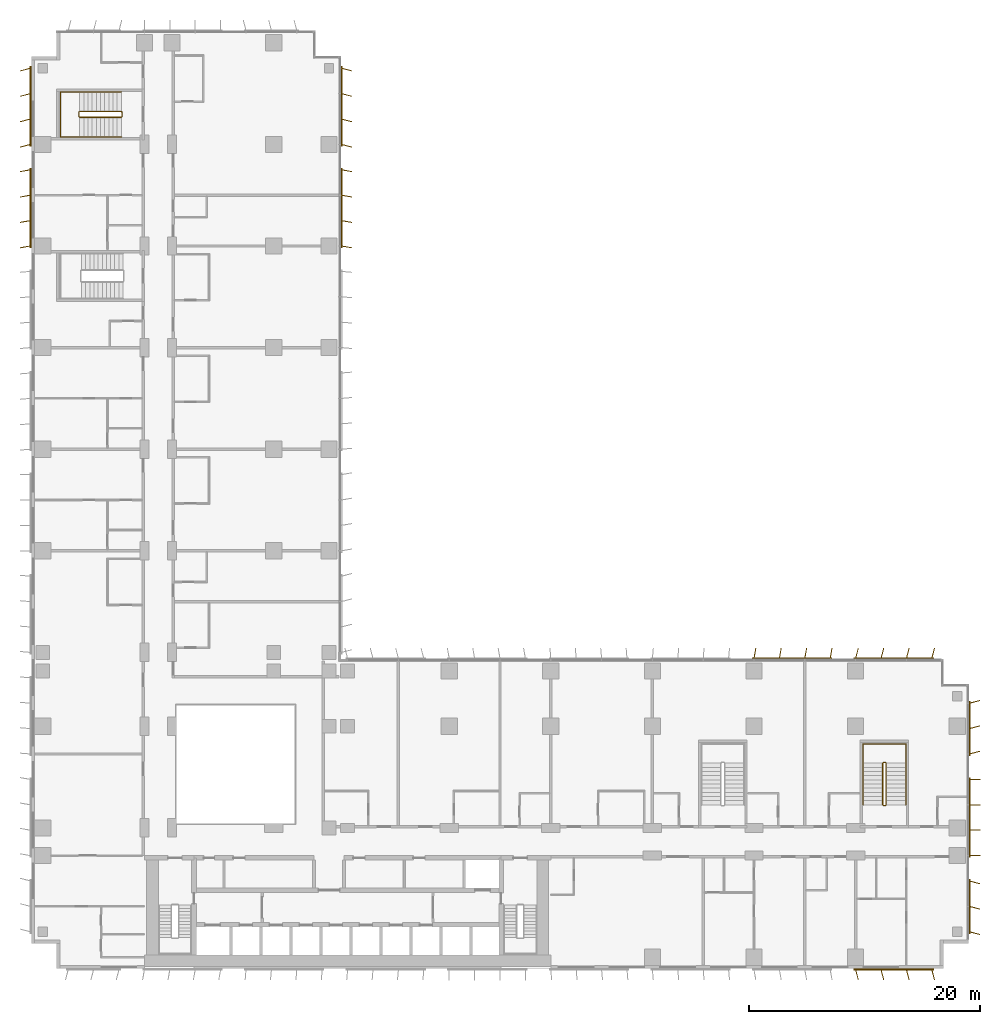
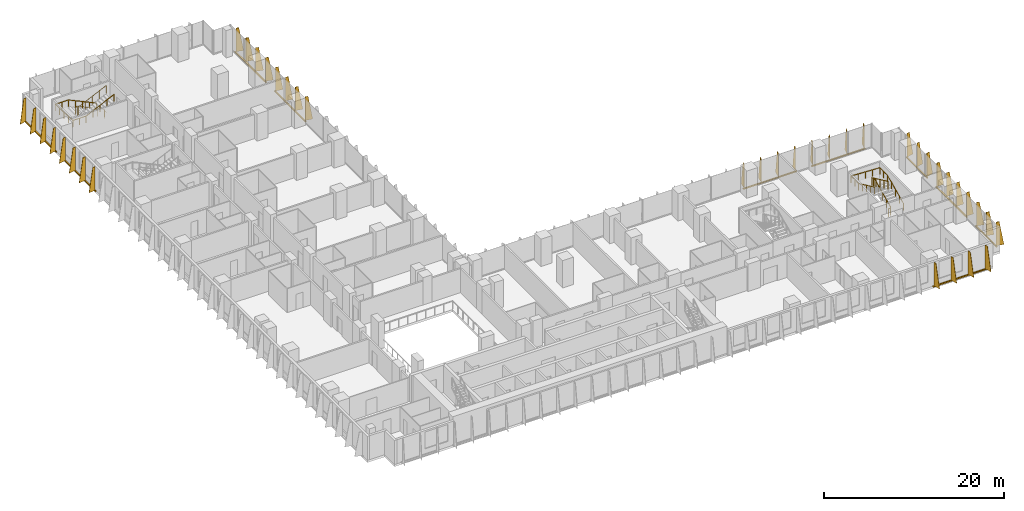
# One storey, part 23 of 24: 10 shading devices, 4 railings.
"""IFC4 building model written with IfcOpenShell, lengths in metres."""

from ifc_helpers import new_model, si_unit, direction, frame, origin, origin_2d, place, context, subcontext, project, spatial, polyline, rectangle, circle, outline, extrude, source, transform, mapped, material, layer, layer_set, type_object, element, save


model = new_model("IFC4")

# Units and contexts
model_context = context("Model", 3, precision=1e-05, world=origin(), true_north=direction((0.0, 1.0)))
body_context = subcontext(model_context, "Body", "Model", "MODEL_VIEW")
ifc_project = project(units=[si_unit("LENGTHUNIT", "METRE"), si_unit("AREAUNIT", "SQUARE_METRE"), si_unit("VOLUMEUNIT", "CUBIC_METRE"), si_unit("PLANEANGLEUNIT", "RADIAN"), si_unit("MASSUNIT", "GRAM", prefix="KILO")], contexts=[model_context])

# Site, building, storey
site_placement = place(None, origin())
site = spatial("IfcSite", under=ifc_project, at=site_placement, CompositionType="ELEMENT")
building_placement = place(site_placement, origin())
building = spatial("IfcBuilding", under=site, at=building_placement, Name="Kemantara Hotel Tower", CompositionType="ELEMENT")
storey_placement = place(building_placement, frame((0.0, 0.0, 79.699951171875)))
storey = spatial("IfcBuildingStorey", under=building, at=storey_placement, Name="L18", CompositionType="ELEMENT", Elevation=79.699951171875)

# Railings
ifc_material_1 = material(Name="Stainless steel balustrade", Category="steel")
railing_type_1 = type_object("IfcRailingType", Name="Stair guard 1100 mm", PredefinedType="GUARDRAIL", material=ifc_material_1)
railing_1_placement = place(storey_placement, frame((73.75, 14.199951171875, 3.699951171875)))
element("IfcRailing", 1, at=railing_1_placement, inside=storey, type_object=railing_type_1, Name="L18 ST5 stair guard 1", PredefinedType="GUARDRAIL", context=body_context, shape_type="SweptSolid", body=[
    extrude(circle(Radius=0.02392578125, at=origin_2d()), frame((0.0, 0.0, 1.076171875), z_axis=(0.0, 0.906029249863, -0.423215073447), x_axis=(-1.0, 0.0, 0.0)), (0.0, 0.0, 1.0), 3.973388671875),
    extrude(circle(Radius=0.02392578125, at=origin_2d()), frame((0.0, 3.60009765625, -0.60546875), z_axis=(0.274243871929, 0.274243871929, -0.92172696468), x_axis=(-0.707106781187, 0.707106781187, 0.0)), (0.0, 0.0, 1.0), 0.1826171875),
    extrude(circle(Radius=0.02392578125, at=origin_2d()), frame((0.050048828125, 3.650146484375, -0.77392578125), z_axis=(1.0, 0.0, 0.0), x_axis=(0.0, 1.0, 0.0)), (0.0, 0.0, 1.0), 0.199951171875),
    extrude(circle(Radius=0.02392578125, at=origin_2d()), frame((0.25, 3.650146484375, -0.77392578125), z_axis=(0.707106781187, -0.707106781187, 0.0), x_axis=(0.707106781187, 0.707106781187, 0.0)), (0.0, 0.0, 1.0), 0.07080078125),
    extrude(circle(Radius=0.02392578125, at=origin_2d()), frame((0.300048828125, 3.60009765625, -0.77392578125), z_axis=(0.0, -0.906005689286, -0.423265508849), x_axis=(1.0, 0.0, 0.0)), (0.0, 0.0, 1.0), 3.9736328125),
    extrude(circle(Radius=0.02392578125, at=origin_2d()), frame((0.300048828125, 0.0, -2.45556640625), z_axis=(-0.274243871929, -0.274243871929, -0.92172696468), x_axis=(0.707106781187, -0.707106781187, 0.0)), (0.0, 0.0, 1.0), 0.1826171875),
    extrude(circle(Radius=0.02392578125, at=origin_2d()), frame((0.25, -0.050048828125, -2.6240234375), z_axis=(-1.0, 0.0, 0.0), x_axis=(0.0, -1.0, 0.0)), (0.0, 0.0, 1.0), 0.199951171875),
    extrude(circle(Radius=0.02099609375, at=origin_2d()), origin(), (0.0, 0.0, 1.0), 1.052001953125),
    extrude(circle(Radius=0.02099609375, at=origin_2d()), frame((0.0, 0.89990234375, -0.42041015625)), (0.0, 0.0, 1.0), 1.052001953125),
    extrude(circle(Radius=0.02099609375, at=origin_2d()), frame((0.0, 1.800048828125, -0.8408203125)), (0.0, 0.0, 1.0), 1.052001953125),
    extrude(circle(Radius=0.02099609375, at=origin_2d()), frame((0.0, 2.7001953125, -1.26123046875)), (0.0, 0.0, 1.0), 1.052001953125),
    extrude(circle(Radius=0.02099609375, at=origin_2d()), frame((0.0, 3.60009765625, -1.681640625)), (0.0, 0.0, 1.0), 1.052001953125),
    extrude(circle(Radius=0.02099609375, at=origin_2d()), frame((0.050048828125, 3.650146484375, -1.849853515625)), (0.0, 0.0, 1.0), 1.052001953125),
    extrude(circle(Radius=0.02099609375, at=origin_2d()), frame((0.25, 3.650146484375, -1.849853515625)), (0.0, 0.0, 1.0), 1.052001953125),
    extrude(circle(Radius=0.02099609375, at=origin_2d()), frame((0.300048828125, 3.60009765625, -1.849853515625)), (0.0, 0.0, 1.0), 1.052001953125),
    extrude(circle(Radius=0.02099609375, at=origin_2d()), frame((0.300048828125, 2.7001953125, -2.270263671875)), (0.0, 0.0, 1.0), 1.052001953125),
    extrude(circle(Radius=0.02099609375, at=origin_2d()), frame((0.300048828125, 1.800048828125, -2.69091796875)), (0.0, 0.0, 1.0), 1.052001953125),
    extrude(circle(Radius=0.02099609375, at=origin_2d()), frame((0.300048828125, 0.89990234375, -3.111328125)), (0.0, 0.0, 1.0), 1.052001953125),
    extrude(circle(Radius=0.02099609375, at=origin_2d()), frame((0.300048828125, 0.0, -3.53173828125)), (0.0, 0.0, 1.0), 1.052001953125),
    extrude(circle(Radius=0.02099609375, at=origin_2d()), frame((0.25, -0.050048828125, -3.699951171875)), (0.0, 0.0, 1.0), 1.052001953125),
    extrude(circle(Radius=0.02099609375, at=origin_2d()), frame((0.050048828125, -0.050048828125, -3.699951171875)), (0.0, 0.0, 1.0), 1.052001953125),
])
railing_2_placement = place(storey_placement, frame((7.800048828125, 73.75, 3.699951171875)))
element("IfcRailing", 2, at=railing_2_placement, inside=storey, type_object=railing_type_1, Name="L18 ST6 stair guard 1", PredefinedType="GUARDRAIL", context=body_context, shape_type="SweptSolid", body=[
    extrude(circle(Radius=0.02392578125, at=origin_2d()), frame((0.0, 0.0, 1.076171875), z_axis=(-0.906029249863, 0.0, -0.423215073447), x_axis=(0.0, -1.0, 0.0)), (0.0, 0.0, 1.0), 3.973388671875),
    extrude(circle(Radius=0.02392578125, at=origin_2d()), frame((-3.60009765625, 0.0, -0.60546875), z_axis=(-0.274243871929, 0.274243871929, -0.92172696468), x_axis=(-0.707106781187, -0.707106781187, 0.0)), (0.0, 0.0, 1.0), 0.1826171875),
    extrude(circle(Radius=0.02392578125, at=origin_2d()), frame((-3.650146484375, 0.050048828125, -0.77392578125), z_axis=(0.0, 1.0, 0.0), x_axis=(-1.0, 0.0, 0.0)), (0.0, 0.0, 1.0), 0.39990234375),
    extrude(circle(Radius=0.02392578125, at=origin_2d()), frame((-3.650146484375, 0.449951171875, -0.77392578125), z_axis=(0.707106781187, 0.707106781187, 0.0), x_axis=(-0.707106781187, 0.707106781187, 0.0)), (0.0, 0.0, 1.0), 0.07080078125),
    extrude(circle(Radius=0.02392578125, at=origin_2d()), frame((-3.60009765625, 0.5, -0.77392578125), z_axis=(0.906005689286, 0.0, -0.423265508849), x_axis=(0.0, 1.0, 0.0)), (0.0, 0.0, 1.0), 3.9736328125),
    extrude(circle(Radius=0.02392578125, at=origin_2d()), frame((0.0, 0.5, -2.45556640625), z_axis=(0.274243871929, -0.274243871929, -0.92172696468), x_axis=(0.707106781187, 0.707106781187, 0.0)), (0.0, 0.0, 1.0), 0.1826171875),
    extrude(circle(Radius=0.02392578125, at=origin_2d()), frame((0.050048828125, 0.449951171875, -2.6240234375), z_axis=(0.0, -1.0, 0.0), x_axis=(1.0, 0.0, 0.0)), (0.0, 0.0, 1.0), 0.39990234375),
    extrude(circle(Radius=0.02099609375, at=origin_2d()), origin(), (0.0, 0.0, 1.0), 1.052001953125),
    extrude(circle(Radius=0.02099609375, at=origin_2d()), frame((-0.89990234375, 0.0, -0.42041015625)), (0.0, 0.0, 1.0), 1.052001953125),
    extrude(circle(Radius=0.02099609375, at=origin_2d()), frame((-1.800048828125, 0.0, -0.8408203125)), (0.0, 0.0, 1.0), 1.052001953125),
    extrude(circle(Radius=0.02099609375, at=origin_2d()), frame((-2.7001953125, 0.0, -1.26123046875)), (0.0, 0.0, 1.0), 1.052001953125),
    extrude(circle(Radius=0.02099609375, at=origin_2d()), frame((-3.60009765625, 0.0, -1.681640625)), (0.0, 0.0, 1.0), 1.052001953125),
    extrude(circle(Radius=0.02099609375, at=origin_2d()), frame((-3.650146484375, 0.050048828125, -1.849853515625)), (0.0, 0.0, 1.0), 1.052001953125),
    extrude(circle(Radius=0.02099609375, at=origin_2d()), frame((-3.650146484375, 0.449951171875, -1.849853515625)), (0.0, 0.0, 1.0), 1.052001953125),
    extrude(circle(Radius=0.02099609375, at=origin_2d()), frame((-3.60009765625, 0.5, -1.849853515625)), (0.0, 0.0, 1.0), 1.052001953125),
    extrude(circle(Radius=0.02099609375, at=origin_2d()), frame((-2.7001953125, 0.5, -2.270263671875)), (0.0, 0.0, 1.0), 1.052001953125),
    extrude(circle(Radius=0.02099609375, at=origin_2d()), frame((-1.800048828125, 0.5, -2.69091796875)), (0.0, 0.0, 1.0), 1.052001953125),
    extrude(circle(Radius=0.02099609375, at=origin_2d()), frame((-0.89990234375, 0.5, -3.111328125)), (0.0, 0.0, 1.0), 1.052001953125),
    extrude(circle(Radius=0.02099609375, at=origin_2d()), frame((0.0, 0.5, -3.53173828125)), (0.0, 0.0, 1.0), 1.052001953125),
    extrude(circle(Radius=0.02099609375, at=origin_2d()), frame((0.050048828125, 0.449951171875, -3.699951171875)), (0.0, 0.0, 1.0), 1.052001953125),
    extrude(circle(Radius=0.02099609375, at=origin_2d()), frame((0.050048828125, 0.050048828125, -3.699951171875)), (0.0, 0.0, 1.0), 1.052001953125),
])
railing_type_2 = type_object("IfcRailingType", Name="Stair handrail 900 mm", PredefinedType="HANDRAIL", material=ifc_material_1)
railing_3_placement = place(storey_placement, frame((75.75, 14.199951171875, 0.168212890625)))
element("IfcRailing", 3, at=railing_3_placement, inside=storey, type_object=railing_type_2, Name="L18 ST5 stair handrail 1", PredefinedType="HANDRAIL", context=body_context, shape_type="SweptSolid", body=[
    extrude(circle(Radius=0.02392578125, at=origin_2d()), frame((0.0, 0.0, 0.8759765625), z_axis=(0.0, 0.906005689286, 0.423265508849), x_axis=(-1.0, 0.0, 0.0)), (0.0, 0.0, 1.0), 3.9736328125),
    extrude(circle(Radius=0.02392578125, at=origin_2d()), frame((0.0, 3.60009765625, 2.5576171875), z_axis=(0.0, 1.0, 0.0), x_axis=(-1.0, 0.0, 0.0)), (0.0, 0.0, 1.0), 1.679931640625),
    extrude(circle(Radius=0.02392578125, at=origin_2d()), frame((0.0, 5.280029296875, 2.5576171875), z_axis=(-0.998968132438, 0.0, 0.045416631029), x_axis=(0.0, -1.0, 0.0)), (0.0, 0.0, 1.0), 3.703857421875),
    extrude(circle(Radius=0.02392578125, at=origin_2d()), frame((-3.699951171875, 5.280029296875, 2.72607421875), z_axis=(0.0, -1.0, 0.0), x_axis=(1.0, 0.0, 0.0)), (0.0, 0.0, 1.0), 1.679931640625),
    extrude(circle(Radius=0.02392578125, at=origin_2d()), frame((-3.699951171875, 3.60009765625, 2.72607421875), z_axis=(0.0, -0.906029249863, 0.423215073447), x_axis=(1.0, 0.0, 0.0)), (0.0, 0.0, 1.0), 3.973388671875),
    extrude(circle(Radius=0.02099609375, at=origin_2d()), origin(), (0.0, 0.0, 1.0), 0.851806640625),
    extrude(circle(Radius=0.02099609375, at=origin_2d()), frame((0.0, 0.89990234375, 0.42041015625)), (0.0, 0.0, 1.0), 0.851806640625),
    extrude(circle(Radius=0.02099609375, at=origin_2d()), frame((0.0, 1.800048828125, 0.8408203125)), (0.0, 0.0, 1.0), 0.851806640625),
    extrude(circle(Radius=0.02099609375, at=origin_2d()), frame((0.0, 2.7001953125, 1.261474609375)), (0.0, 0.0, 1.0), 0.851806640625),
    extrude(circle(Radius=0.02099609375, at=origin_2d()), frame((0.0, 3.60009765625, 1.681884765625)), (0.0, 0.0, 1.0), 0.851806640625),
    extrude(circle(Radius=0.02099609375, at=origin_2d()), frame((0.0, 4.43994140625, 1.681884765625)), (0.0, 0.0, 1.0), 0.851806640625),
    extrude(circle(Radius=0.02099609375, at=origin_2d()), frame((0.0, 5.280029296875, 1.681884765625)), (0.0, 0.0, 1.0), 0.851806640625),
    extrude(circle(Radius=0.02099609375, at=origin_2d()), frame((-0.925048828125, 5.280029296875, 1.723876953125)), (0.0, 0.0, 1.0), 0.851806640625),
    extrude(circle(Radius=0.02099609375, at=origin_2d()), frame((-1.85009765625, 5.280029296875, 1.76611328125)), (0.0, 0.0, 1.0), 0.851806640625),
    extrude(circle(Radius=0.02099609375, at=origin_2d()), frame((-2.77490234375, 5.280029296875, 1.80810546875)), (0.0, 0.0, 1.0), 0.851806640625),
    extrude(circle(Radius=0.02099609375, at=origin_2d()), frame((-3.699951171875, 5.280029296875, 1.85009765625)), (0.0, 0.0, 1.0), 0.851806640625),
    extrude(circle(Radius=0.02099609375, at=origin_2d()), frame((-3.699951171875, 4.43994140625, 1.85009765625)), (0.0, 0.0, 1.0), 0.851806640625),
    extrude(circle(Radius=0.02099609375, at=origin_2d()), frame((-3.699951171875, 3.60009765625, 1.85009765625)), (0.0, 0.0, 1.0), 0.851806640625),
    extrude(circle(Radius=0.02099609375, at=origin_2d()), frame((-3.699951171875, 2.7001953125, 2.2705078125)), (0.0, 0.0, 1.0), 0.851806640625),
    extrude(circle(Radius=0.02099609375, at=origin_2d()), frame((-3.699951171875, 1.800048828125, 2.69091796875)), (0.0, 0.0, 1.0), 0.851806640625),
    extrude(circle(Radius=0.02099609375, at=origin_2d()), frame((-3.699951171875, 0.89990234375, 3.111328125)), (0.0, 0.0, 1.0), 0.851806640625),
    extrude(circle(Radius=0.02099609375, at=origin_2d()), frame((-3.699951171875, 0.0, 3.53173828125)), (0.0, 0.0, 1.0), 0.851806640625),
])
railing_4_placement = place(storey_placement, frame((7.800048828125, 75.949951171875, 0.168212890625)))
element("IfcRailing", 4, at=railing_4_placement, inside=storey, type_object=railing_type_2, Name="L18 ST6 stair handrail 1", PredefinedType="HANDRAIL", context=body_context, shape_type="SweptSolid", body=[
    extrude(circle(Radius=0.02392578125, at=origin_2d()), frame((0.0, 0.0, 0.8759765625), z_axis=(-0.906005689286, 0.0, 0.423265508849), x_axis=(0.0, -1.0, 0.0)), (0.0, 0.0, 1.0), 3.9736328125),
    extrude(circle(Radius=0.02392578125, at=origin_2d()), frame((-3.60009765625, 0.0, 2.5576171875), z_axis=(-1.0, 0.0, 0.0), x_axis=(0.0, -1.0, 0.0)), (0.0, 0.0, 1.0), 1.679931640625),
    extrude(circle(Radius=0.02392578125, at=origin_2d()), frame((-5.280029296875, 0.0, 2.5576171875), z_axis=(0.0, -0.999071085748, 0.043092523981), x_axis=(1.0, 0.0, 0.0)), (0.0, 0.0, 1.0), 3.903564453125),
    extrude(circle(Radius=0.02392578125, at=origin_2d()), frame((-5.280029296875, -3.89990234375, 2.72607421875), z_axis=(1.0, 0.0, 0.0), x_axis=(0.0, 1.0, 0.0)), (0.0, 0.0, 1.0), 1.679931640625),
    extrude(circle(Radius=0.02392578125, at=origin_2d()), frame((-3.60009765625, -3.89990234375, 2.72607421875), z_axis=(0.906029249863, 0.0, 0.423215073447), x_axis=(0.0, 1.0, 0.0)), (0.0, 0.0, 1.0), 3.973388671875),
    extrude(circle(Radius=0.02099609375, at=origin_2d()), origin(), (0.0, 0.0, 1.0), 0.851806640625),
    extrude(circle(Radius=0.02099609375, at=origin_2d()), frame((-0.89990234375, 0.0, 0.42041015625)), (0.0, 0.0, 1.0), 0.851806640625),
    extrude(circle(Radius=0.02099609375, at=origin_2d()), frame((-1.800048828125, 0.0, 0.8408203125)), (0.0, 0.0, 1.0), 0.851806640625),
    extrude(circle(Radius=0.02099609375, at=origin_2d()), frame((-2.7001953125, 0.0, 1.261474609375)), (0.0, 0.0, 1.0), 0.851806640625),
    extrude(circle(Radius=0.02099609375, at=origin_2d()), frame((-3.60009765625, 0.0, 1.681884765625)), (0.0, 0.0, 1.0), 0.851806640625),
    extrude(circle(Radius=0.02099609375, at=origin_2d()), frame((-4.43994140625, 0.0, 1.681884765625)), (0.0, 0.0, 1.0), 0.851806640625),
    extrude(circle(Radius=0.02099609375, at=origin_2d()), frame((-5.280029296875, 0.0, 1.681884765625)), (0.0, 0.0, 1.0), 0.851806640625),
    extrude(circle(Radius=0.02099609375, at=origin_2d()), frame((-5.280029296875, -0.97509765625, 1.723876953125)), (0.0, 0.0, 1.0), 0.851806640625),
    extrude(circle(Radius=0.02099609375, at=origin_2d()), frame((-5.280029296875, -1.949951171875, 1.76611328125)), (0.0, 0.0, 1.0), 0.851806640625),
    extrude(circle(Radius=0.02099609375, at=origin_2d()), frame((-5.280029296875, -2.9248046875, 1.80810546875)), (0.0, 0.0, 1.0), 0.851806640625),
    extrude(circle(Radius=0.02099609375, at=origin_2d()), frame((-5.280029296875, -3.89990234375, 1.85009765625)), (0.0, 0.0, 1.0), 0.851806640625),
    extrude(circle(Radius=0.02099609375, at=origin_2d()), frame((-4.43994140625, -3.89990234375, 1.85009765625)), (0.0, 0.0, 1.0), 0.851806640625),
    extrude(circle(Radius=0.02099609375, at=origin_2d()), frame((-3.60009765625, -3.89990234375, 1.85009765625)), (0.0, 0.0, 1.0), 0.851806640625),
    extrude(circle(Radius=0.02099609375, at=origin_2d()), frame((-2.7001953125, -3.89990234375, 2.2705078125)), (0.0, 0.0, 1.0), 0.851806640625),
    extrude(circle(Radius=0.02099609375, at=origin_2d()), frame((-1.800048828125, -3.89990234375, 2.69091796875)), (0.0, 0.0, 1.0), 0.851806640625),
    extrude(circle(Radius=0.02099609375, at=origin_2d()), frame((-0.89990234375, -3.89990234375, 3.111328125)), (0.0, 0.0, 1.0), 0.851806640625),
    extrude(circle(Radius=0.02099609375, at=origin_2d()), frame((0.0, -3.89990234375, 3.53173828125)), (0.0, 0.0, 1.0), 0.851806640625),
])

# Shading devices
ifc_material_2 = material(Name="Perforated aluminium plate 4 mm bronze anodised", Category="aluminium")
ifc_layer_1 = layer(ifc_material_2, 0.0400390625)
ifc_layer_set_1 = layer_set([ifc_layer_1], Name="Perforated aluminium plate 4 mm bronze anodised")
shading_device_type_1 = type_object("IfcShadingDeviceType", Name="SCREEN FIN CASSETTE, 3 BLADES AT -15.0 DEG, 3200 HIGH", PredefinedType="USERDEFINED", material=ifc_layer_set_1)
shared_shape_1 = source(origin(), body_context, "Body", "SweptSolid", [
    extrude(rectangle(XDim=4.699951171875, YDim=0.14990234375, at=origin_2d()), frame((2.199951171875, -0.074951171875, -0.14990234375), z_axis=(0.0, 0.0, 1.0), x_axis=(1.0, 0.0, 0.0)), (0.0, 0.0, 1.0), 0.14990234375),
    extrude(outline(polyline([(0.0, 0.0), (0.89990234375, 0.0), (0.35009765625, 3.199951171875), (0.0, 3.199951171875), (0.0, 0.0)])), frame((0.019287109375, -0.080078125, 0.0), z_axis=(-0.966437683387, 0.256901156343, 0.0), x_axis=(-0.256901156343, -0.966437683387, 0.0)), (0.0, 0.0, 1.0), 0.039794921875),
    extrude(outline(polyline([(0.0, 0.0), (0.89990234375, 0.0), (0.35009765625, 3.199951171875), (0.0, 3.199951171875), (0.0, 0.0)])), frame((2.21923828125, -0.080078125, 0.0), z_axis=(-0.966437683387, 0.256901156343, 0.0), x_axis=(-0.256901156343, -0.966437683387, 0.0)), (0.0, 0.0, 1.0), 0.039794921875),
    extrude(outline(polyline([(0.0, 0.0), (0.89990234375, 0.0), (0.35009765625, 3.199951171875), (0.0, 3.199951171875), (0.0, 0.0)])), frame((4.41943359375, -0.080078125, 0.0), z_axis=(-0.966837822169, 0.255391122837, 0.0), x_axis=(-0.255391122837, -0.966837822169, 0.0)), (0.0, 0.0, 1.0), 0.0400390625),
])
shading_device_1_placement = place(storey_placement, frame((81.199951171875, 3.199951171875, 0.10009765625), z_axis=(0.0, 0.0, 1.0), x_axis=(0.0, 1.0, 0.0)))
element("IfcShadingDevice", 5, at=shading_device_1_placement, inside=storey, type_object=shading_device_type_1, Name="SCREEN FIN CASSETTE L18 T1-R04-1", ObjectType="SCREEN FIN", PredefinedType="USERDEFINED", context=body_context, shape_type="MappedRepresentation", body=[
    mapped(shared_shape_1, transform((0.0, 0.0, 0.0))),
])
ifc_layer_2 = layer(ifc_material_2, 0.0400390625)
ifc_layer_set_2 = layer_set([ifc_layer_2], Name="Perforated aluminium plate 4 mm bronze anodised")
shading_device_type_2 = type_object("IfcShadingDeviceType", Name="SCREEN FIN CASSETTE, 4 BLADES AT -10.0 DEG, 3200 HIGH", PredefinedType="USERDEFINED", material=ifc_layer_set_2)
shared_shape_2 = source(origin(), body_context, "Body", "SweptSolid", [
    extrude(rectangle(XDim=6.89990234375, YDim=0.14990234375, at=origin_2d()), frame((3.300048828125, -0.074951171875, -0.14990234375), z_axis=(0.0, 0.0, 1.0), x_axis=(1.0, 0.0, 0.0)), (0.0, 0.0, 1.0), 0.14990234375),
    extrude(outline(polyline([(0.0, 0.0), (0.89990234375, 0.0), (0.35009765625, 3.199951171875), (0.0, 3.199951171875), (0.0, 0.0)])), frame((0.019775390625, -0.078369140625, 0.0), z_axis=(-0.985389793052, 0.170314285219, 0.0), x_axis=(-0.170314285219, -0.985389793052, 0.0)), (0.0, 0.0, 1.0), 0.0400390625),
    extrude(outline(polyline([(0.0, 0.0), (0.89990234375, 0.0), (0.35009765625, 3.199951171875), (0.0, 3.199951171875), (0.0, 0.0)])), frame((2.2197265625, -0.078369140625, 0.0), z_axis=(-0.98521175482, 0.171341174751, 0.0), x_axis=(-0.171341174751, -0.98521175482, 0.0)), (0.0, 0.0, 1.0), 0.039794921875),
    extrude(outline(polyline([(0.0, 0.0), (0.89990234375, 0.0), (0.35009765625, 3.199951171875), (0.0, 3.199951171875), (0.0, 0.0)])), frame((4.419677734375, -0.078369140625, 0.0), z_axis=(-0.98521175482, 0.171341174751, 0.0), x_axis=(-0.171341174751, -0.98521175482, 0.0)), (0.0, 0.0, 1.0), 0.039794921875),
    extrude(outline(polyline([(0.0, 0.0), (0.89990234375, 0.0), (0.35009765625, 3.199951171875), (0.0, 3.199951171875), (0.0, 0.0)])), frame((6.61962890625, -0.078369140625, 0.0), z_axis=(-0.98521175482, 0.171341174751, 0.0), x_axis=(-0.171341174751, -0.98521175482, 0.0)), (0.0, 0.0, 1.0), 0.039794921875),
])
for number, where, z_axis, x_axis, name in (
    (6, (69.199951171875, 26.800048828125, 0.10009765625), (0.0, 0.0, 1.0), (-1.0, 0.0, 0.0), "SCREEN FIN CASSETTE L18 T1-R07-2"),
    (7, (26.800048828125, 62.60009765625, 0.10009765625), (0.0, 0.0, 1.0), (0.0, 1.0, 0.0), "SCREEN FIN CASSETTE L18 T1-R08-5"),
):
    element("IfcShadingDevice", number, at=place(storey_placement, frame(where, z_axis=z_axis, x_axis=x_axis)), inside=storey, type_object=shading_device_type_2, Name=name, ObjectType="SCREEN FIN", PredefinedType="USERDEFINED", context=body_context, shape_type="MappedRepresentation", body=[
        mapped(shared_shape_2, transform((0.0, 0.0, 0.0))),
    ])
ifc_layer_3 = layer(ifc_material_2, 0.0400390625)
ifc_layer_set_3 = layer_set([ifc_layer_3], Name="Perforated aluminium plate 4 mm bronze anodised")
shading_device_type_3 = type_object("IfcShadingDeviceType", Name="SCREEN FIN CASSETTE, 4 BLADES AT +0.0 DEG, 3200 HIGH", PredefinedType="USERDEFINED", material=ifc_layer_set_3)
shared_shape_3 = source(origin(), body_context, "Body", "SweptSolid", [
    extrude(rectangle(XDim=6.89990234375, YDim=0.14990234375, at=origin_2d()), frame((3.300048828125, -0.074951171875, -0.14990234375), z_axis=(0.0, 0.0, 1.0), x_axis=(1.0, 0.0, 0.0)), (0.0, 0.0, 1.0), 0.14990234375),
    extrude(outline(polyline([(0.0, 0.0), (0.89990234375, 0.0), (0.35009765625, 3.199951171875), (0.0, 3.199951171875), (0.0, 0.0)])), frame((0.02001953125, -0.074951171875, 0.0), z_axis=(-1.0, 0.0, 0.0), x_axis=(0.0, -1.0, 0.0)), (0.0, 0.0, 1.0), 0.0400390625),
    extrude(outline(polyline([(0.0, 0.0), (0.89990234375, 0.0), (0.35009765625, 3.199951171875), (0.0, 3.199951171875), (0.0, 0.0)])), frame((2.219970703125, -0.074951171875, 0.0), z_axis=(-1.0, 0.0, 0.0), x_axis=(0.0, -1.0, 0.0)), (0.0, 0.0, 1.0), 0.0400390625),
    extrude(outline(polyline([(0.0, 0.0), (0.89990234375, 0.0), (0.35009765625, 3.199951171875), (0.0, 3.199951171875), (0.0, 0.0)])), frame((4.419921875, -0.074951171875, 0.0), z_axis=(-1.0, 0.0, 0.0), x_axis=(0.0, -1.0, 0.0)), (0.0, 0.0, 1.0), 0.0400390625),
    extrude(outline(polyline([(0.0, 0.0), (0.89990234375, 0.0), (0.35009765625, 3.199951171875), (0.0, 3.199951171875), (0.0, 0.0)])), frame((6.6201171875, -0.074951171875, 0.0), z_axis=(-1.0, 0.0, 0.0), x_axis=(0.0, -1.0, 0.0)), (0.0, 0.0, 1.0), 0.0400390625),
])
shading_device_2_placement = place(storey_placement, frame((81.199951171875, 9.800048828125, 0.10009765625), z_axis=(0.0, 0.0, 1.0), x_axis=(0.0, 1.0, 0.0)))
element("IfcShadingDevice", 8, at=shading_device_2_placement, inside=storey, type_object=shading_device_type_3, Name="SCREEN FIN CASSETTE L18 T1-R04-2", ObjectType="SCREEN FIN", PredefinedType="USERDEFINED", context=body_context, shape_type="MappedRepresentation", body=[
    mapped(shared_shape_3, transform((0.0, 0.0, 0.0))),
])
ifc_layer_4 = layer(ifc_material_2, 0.0400390625)
ifc_layer_set_4 = layer_set([ifc_layer_4], Name="Perforated aluminium plate 4 mm bronze anodised")
shading_device_type_4 = type_object("IfcShadingDeviceType", Name="SCREEN FIN CASSETTE, 4 BLADES AT +10.0 DEG, 3200 HIGH", PredefinedType="USERDEFINED", material=ifc_layer_set_4)
shared_shape_4 = source(origin(), body_context, "Body", "SweptSolid", [
    extrude(rectangle(XDim=6.89990234375, YDim=0.14990234375, at=origin_2d()), frame((3.300048828125, -0.074951171875, -0.14990234375), z_axis=(0.0, 0.0, 1.0), x_axis=(1.0, 0.0, 0.0)), (0.0, 0.0, 1.0), 0.14990234375),
    extrude(outline(polyline([(0.0, 0.0), (0.89990234375, 0.0), (0.35009765625, 3.199951171875), (0.0, 3.199951171875), (0.0, 0.0)])), frame((0.019775390625, -0.071533203125, 0.0), z_axis=(-0.985389793052, -0.170314285219, 0.0), x_axis=(0.170314285219, -0.985389793052, 0.0)), (0.0, 0.0, 1.0), 0.0400390625),
    extrude(outline(polyline([(0.0, 0.0), (0.89990234375, 0.0), (0.35009765625, 3.199951171875), (0.0, 3.199951171875), (0.0, 0.0)])), frame((2.2197265625, -0.071533203125, 0.0), z_axis=(-0.98521175482, -0.171341174751, 0.0), x_axis=(0.171341174751, -0.98521175482, 0.0)), (0.0, 0.0, 1.0), 0.039794921875),
    extrude(outline(polyline([(0.0, 0.0), (0.89990234375, 0.0), (0.35009765625, 3.199951171875), (0.0, 3.199951171875), (0.0, 0.0)])), frame((4.419677734375, -0.071533203125, 0.0), z_axis=(-0.98521175482, -0.171341174751, 0.0), x_axis=(0.171341174751, -0.98521175482, 0.0)), (0.0, 0.0, 1.0), 0.039794921875),
    extrude(outline(polyline([(0.0, 0.0), (0.89990234375, 0.0), (0.35009765625, 3.199951171875), (0.0, 3.199951171875), (0.0, 0.0)])), frame((6.61962890625, -0.071533203125, 0.0), z_axis=(-0.98521175482, -0.171341174751, 0.0), x_axis=(0.171341174751, -0.98521175482, 0.0)), (0.0, 0.0, 1.0), 0.039794921875),
])
shading_device_3_placement = place(storey_placement, frame((0.0, 69.199951171875, 0.10009765625), z_axis=(0.0, 0.0, 1.0), x_axis=(0.0, -1.0, 0.0)))
element("IfcShadingDevice", 9, at=shading_device_3_placement, inside=storey, type_object=shading_device_type_4, Name="SCREEN FIN CASSETTE L18 T1-R14-2", ObjectType="SCREEN FIN", PredefinedType="USERDEFINED", context=body_context, shape_type="MappedRepresentation", body=[
    mapped(shared_shape_4, transform((0.0, 0.0, 0.0))),
])
ifc_layer_5 = layer(ifc_material_2, 0.0400390625)
ifc_layer_set_5 = layer_set([ifc_layer_5], Name="Perforated aluminium plate 4 mm bronze anodised")
shading_device_type_5 = type_object("IfcShadingDeviceType", Name="SCREEN FIN CASSETTE, 4 BLADES AT +15.0 DEG, 3200 HIGH", PredefinedType="USERDEFINED", material=ifc_layer_set_5)
shared_shape_5 = source(origin(), body_context, "Body", "SweptSolid", [
    extrude(rectangle(XDim=6.89990234375, YDim=0.14990234375, at=origin_2d()), frame((3.300048828125, -0.074951171875, -0.14990234375), z_axis=(0.0, 0.0, 1.0), x_axis=(1.0, 0.0, 0.0)), (0.0, 0.0, 1.0), 0.14990234375),
    extrude(outline(polyline([(0.0, 0.0), (0.89990234375, 0.0), (0.35009765625, 3.199951171875), (0.0, 3.199951171875), (0.0, 0.0)])), frame((0.019287109375, -0.06982421875, 0.0), z_axis=(-0.966437683387, -0.256901156343, 0.0), x_axis=(0.256901156343, -0.966437683387, 0.0)), (0.0, 0.0, 1.0), 0.039794921875),
    extrude(outline(polyline([(0.0, 0.0), (0.89990234375, 0.0), (0.35009765625, 3.199951171875), (0.0, 3.199951171875), (0.0, 0.0)])), frame((2.21923828125, -0.06982421875, 0.0), z_axis=(-0.966437683387, -0.256901156343, 0.0), x_axis=(0.256901156343, -0.966437683387, 0.0)), (0.0, 0.0, 1.0), 0.039794921875),
    extrude(outline(polyline([(0.0, 0.0), (0.89990234375, 0.0), (0.35009765625, 3.199951171875), (0.0, 3.199951171875), (0.0, 0.0)])), frame((4.41943359375, -0.06982421875, 0.0), z_axis=(-0.966837822169, -0.255391122837, 0.0), x_axis=(0.255391122837, -0.966837822169, 0.0)), (0.0, 0.0, 1.0), 0.0400390625),
    extrude(outline(polyline([(0.0, 0.0), (0.89990234375, 0.0), (0.35009765625, 3.199951171875), (0.0, 3.199951171875), (0.0, 0.0)])), frame((6.619384765625, -0.06982421875, 0.0), z_axis=(-0.966837822169, -0.255391122837, 0.0), x_axis=(0.255391122837, -0.966837822169, 0.0)), (0.0, 0.0, 1.0), 0.0400390625),
])
for number, where, z_axis, x_axis, name in (
    (10, (71.39990234375, 0.0, 0.10009765625), (0.0, 0.0, 1.0), (1.0, 0.0, 0.0), "SCREEN FIN CASSETTE L18 T1-R01-9"),
    (11, (0.0, 78.0, 0.10009765625), (0.0, 0.0, 1.0), (0.0, -1.0, 0.0), "SCREEN FIN CASSETTE L18 T1-R14-1"),
):
    element("IfcShadingDevice", number, at=place(storey_placement, frame(where, z_axis=z_axis, x_axis=x_axis)), inside=storey, type_object=shading_device_type_5, Name=name, ObjectType="SCREEN FIN", PredefinedType="USERDEFINED", context=body_context, shape_type="MappedRepresentation", body=[
        mapped(shared_shape_5, transform((0.0, 0.0, 0.0))),
    ])
ifc_layer_6 = layer(ifc_material_2, 0.0400390625)
ifc_layer_set_6 = layer_set([ifc_layer_6], Name="Perforated aluminium plate 4 mm bronze anodised")
shading_device_type_6 = type_object("IfcShadingDeviceType", Name="SCREEN FIN CASSETTE, 3 BLADES AT +15.0 DEG, 3200 HIGH", PredefinedType="USERDEFINED", material=ifc_layer_set_6)
shared_shape_6 = source(origin(), body_context, "Body", "SweptSolid", [
    extrude(rectangle(XDim=4.699951171875, YDim=0.14990234375, at=origin_2d()), frame((2.199951171875, -0.074951171875, -0.14990234375), z_axis=(0.0, 0.0, 1.0), x_axis=(1.0, 0.0, 0.0)), (0.0, 0.0, 1.0), 0.14990234375),
    extrude(outline(polyline([(0.0, 0.0), (0.89990234375, 0.0), (0.35009765625, 3.199951171875), (0.0, 3.199951171875), (0.0, 0.0)])), frame((0.019287109375, -0.06982421875, 0.0), z_axis=(-0.966437683387, -0.256901156343, 0.0), x_axis=(0.256901156343, -0.966437683387, 0.0)), (0.0, 0.0, 1.0), 0.039794921875),
    extrude(outline(polyline([(0.0, 0.0), (0.89990234375, 0.0), (0.35009765625, 3.199951171875), (0.0, 3.199951171875), (0.0, 0.0)])), frame((2.21923828125, -0.06982421875, 0.0), z_axis=(-0.966437683387, -0.256901156343, 0.0), x_axis=(0.256901156343, -0.966437683387, 0.0)), (0.0, 0.0, 1.0), 0.039794921875),
    extrude(outline(polyline([(0.0, 0.0), (0.89990234375, 0.0), (0.35009765625, 3.199951171875), (0.0, 3.199951171875), (0.0, 0.0)])), frame((4.41943359375, -0.06982421875, 0.0), z_axis=(-0.966837822169, -0.255391122837, 0.0), x_axis=(0.255391122837, -0.966837822169, 0.0)), (0.0, 0.0, 1.0), 0.0400390625),
])
shading_device_4_placement = place(storey_placement, frame((81.199951171875, 18.60009765625, 0.10009765625), z_axis=(0.0, 0.0, 1.0), x_axis=(0.0, 1.0, 0.0)))
element("IfcShadingDevice", 12, at=shading_device_4_placement, inside=storey, type_object=shading_device_type_6, Name="SCREEN FIN CASSETTE L18 T1-R04-3", ObjectType="SCREEN FIN", PredefinedType="USERDEFINED", context=body_context, shape_type="MappedRepresentation", body=[
    mapped(shared_shape_6, transform((0.0, 0.0, 0.0))),
])
ifc_layer_7 = layer(ifc_material_2, 0.0400390625)
ifc_layer_set_7 = layer_set([ifc_layer_7], Name="Perforated aluminium plate 4 mm bronze anodised")
shading_device_type_7 = type_object("IfcShadingDeviceType", Name="SCREEN FIN CASSETTE, 4 BLADES AT -15.0 DEG, 3200 HIGH", PredefinedType="USERDEFINED", material=ifc_layer_set_7)
shared_shape_7 = source(origin(), body_context, "Body", "SweptSolid", [
    extrude(rectangle(XDim=6.89990234375, YDim=0.14990234375, at=origin_2d()), frame((3.300048828125, -0.074951171875, -0.14990234375), z_axis=(0.0, 0.0, 1.0), x_axis=(1.0, 0.0, 0.0)), (0.0, 0.0, 1.0), 0.14990234375),
    extrude(outline(polyline([(0.0, 0.0), (0.89990234375, 0.0), (0.35009765625, 3.199951171875), (0.0, 3.199951171875), (0.0, 0.0)])), frame((0.019287109375, -0.080078125, 0.0), z_axis=(-0.966437683387, 0.256901156343, 0.0), x_axis=(-0.256901156343, -0.966437683387, 0.0)), (0.0, 0.0, 1.0), 0.039794921875),
    extrude(outline(polyline([(0.0, 0.0), (0.89990234375, 0.0), (0.35009765625, 3.199951171875), (0.0, 3.199951171875), (0.0, 0.0)])), frame((2.21923828125, -0.080078125, 0.0), z_axis=(-0.966437683387, 0.256901156343, 0.0), x_axis=(-0.256901156343, -0.966437683387, 0.0)), (0.0, 0.0, 1.0), 0.039794921875),
    extrude(outline(polyline([(0.0, 0.0), (0.89990234375, 0.0), (0.35009765625, 3.199951171875), (0.0, 3.199951171875), (0.0, 0.0)])), frame((4.41943359375, -0.080078125, 0.0), z_axis=(-0.966837822169, 0.255391122837, 0.0), x_axis=(-0.255391122837, -0.966837822169, 0.0)), (0.0, 0.0, 1.0), 0.0400390625),
    extrude(outline(polyline([(0.0, 0.0), (0.89990234375, 0.0), (0.35009765625, 3.199951171875), (0.0, 3.199951171875), (0.0, 0.0)])), frame((6.619384765625, -0.080078125, 0.0), z_axis=(-0.966837822169, 0.255391122837, 0.0), x_axis=(-0.255391122837, -0.966837822169, 0.0)), (0.0, 0.0, 1.0), 0.0400390625),
])
for number, where, z_axis, x_axis, name in (
    (13, (78.0, 26.800048828125, 0.10009765625), (0.0, 0.0, 1.0), (-1.0, 0.0, 0.0), "SCREEN FIN CASSETTE L18 T1-R07-1"),
    (14, (26.800048828125, 71.39990234375, 0.10009765625), (0.0, 0.0, 1.0), (0.0, 1.0, 0.0), "SCREEN FIN CASSETTE L18 T1-R08-6"),
):
    element("IfcShadingDevice", number, at=place(storey_placement, frame(where, z_axis=z_axis, x_axis=x_axis)), inside=storey, type_object=shading_device_type_7, Name=name, ObjectType="SCREEN FIN", PredefinedType="USERDEFINED", context=body_context, shape_type="MappedRepresentation", body=[
        mapped(shared_shape_7, transform((0.0, 0.0, 0.0))),
    ])

save(model, "model.ifc")
